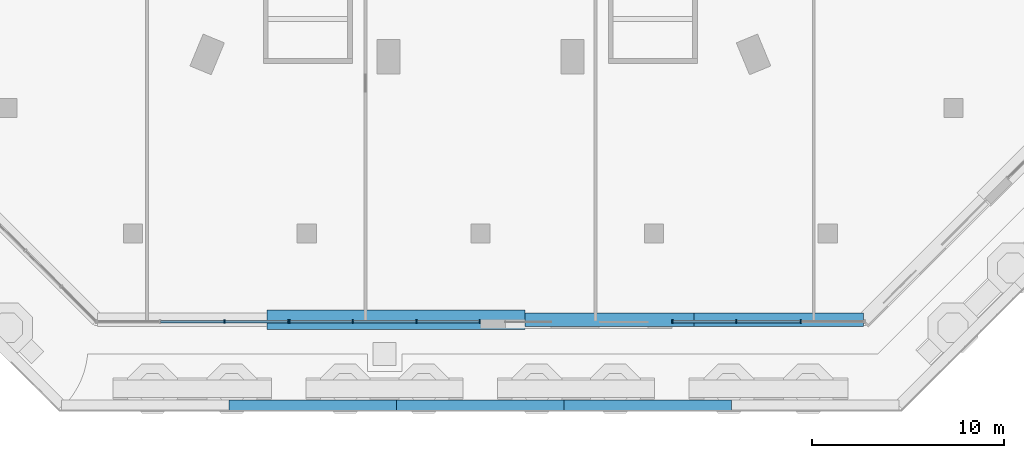
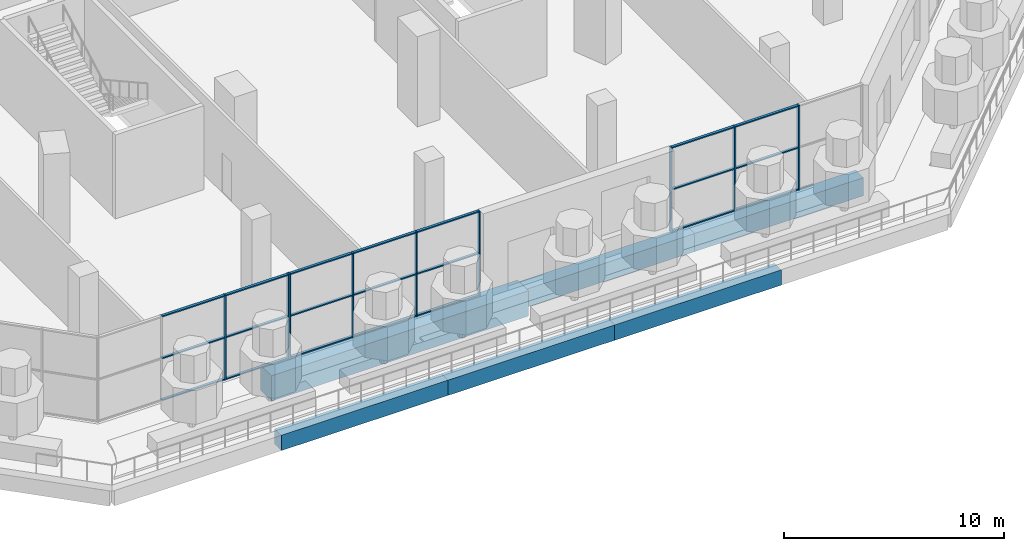
# One storey, part 4 of 32: 30 members, 6 beams, 3 elements without a shape of their own.
"""IFC4 building model written with IfcOpenShell, lengths in metres."""

from ifc_helpers import new_model, si_unit, direction, frame, origin, origin_2d, place, context, subcontext, project, spatial, rectangle, extrude, material, material_profile, profile_set, type_object, element, aggregate, save


model = new_model("IFC4")

# Units and contexts
model_context = context("Model", 3, precision=1e-05, world=origin(), true_north=direction((0.0, 1.0)))
body_context = subcontext(model_context, "Body", "Model", "MODEL_VIEW")
ifc_project = project(units=[si_unit("LENGTHUNIT", "METRE"), si_unit("AREAUNIT", "SQUARE_METRE"), si_unit("VOLUMEUNIT", "CUBIC_METRE"), si_unit("PLANEANGLEUNIT", "RADIAN"), si_unit("MASSUNIT", "GRAM", prefix="KILO")], contexts=[model_context])

# Site, building, storey
site_placement = place(None, origin())
site = spatial("IfcSite", under=ifc_project, at=site_placement, CompositionType="ELEMENT")
building_placement = place(site_placement, origin())
building = spatial("IfcBuilding", under=site, at=building_placement, Name="Msitu Wima Residences", CompositionType="ELEMENT")
storey_placement = place(building_placement, frame((0.0, 0.0, 6.0)))
storey = spatial("IfcBuildingStorey", under=building, at=storey_placement, Name="L01", CompositionType="ELEMENT", Elevation=6.0)

# Curtain wall, members
ifc_material_1 = material(Name="Anodised aluminium, bronze finish, clear low-emissivity double glazing", Category="aluminium")
curtain_wall_type = type_object("IfcCurtainWallType", Name="Curtain wall CW5 retail shopfront", PredefinedType="NOTDEFINED", material=ifc_material_1)
curtain_wall_1_placement = place(storey_placement, origin())
curtain_wall_1 = element("IfcCurtainWall", 1, at=curtain_wall_1_placement, inside=storey, type_object=curtain_wall_type, Name="Curtain wall CW5 L01 S0", PredefinedType="NOTDEFINED")
ifc_material_2 = material(Name="Anodised aluminium, bronze finish", Category="aluminium")
ifc_material_profile_1 = material_profile(ifc_material_2, rectangle(XDim=0.179931640625, YDim=0.06494140625, at=origin_2d()), Name="Mullion 65x180")
ifc_profile_set_1 = profile_set([ifc_material_profile_1], Name="Anodised aluminium, bronze finish")
member_type_1 = type_object("IfcMemberType", Name="Mullion CW5 65x180", PredefinedType="MULLION", material=ifc_profile_set_1)
member_1_placement = place(storey_placement, frame((-13.35888671875, -42.39990234375, 0.0), z_axis=(0.0, 0.0, 1.0), x_axis=(0.0, 1.0, 0.0)))
member_1 = element("IfcMember", 2, at=member_1_placement, type_object=member_type_1, Name="CW5 mullion 3", PredefinedType="MULLION", context=body_context, shape_type="SweptSolid", body=[
    extrude(rectangle(XDim=0.179931640625, YDim=0.06494140625, at=origin_2d()), origin(), (0.0, 0.0, 1.0), 4.699951171875),
])
member_2_placement = place(storey_placement, frame((-10.0283203125, -42.39990234375, 0.0), z_axis=(0.0, 0.0, 1.0), x_axis=(0.0, 1.0, 0.0)))
member_2 = element("IfcMember", 3, at=member_2_placement, type_object=member_type_1, Name="CW5 mullion 4", PredefinedType="MULLION", context=body_context, shape_type="SweptSolid", body=[
    extrude(rectangle(XDim=0.179931640625, YDim=0.06494140625, at=origin_2d()), origin(), (0.0, 0.0, 1.0), 4.699951171875),
])

curtain_wall_2_placement = place(storey_placement, origin())
curtain_wall_2 = element("IfcCurtainWall", 4, at=curtain_wall_2_placement, inside=storey, type_object=curtain_wall_type, Name="Curtain wall CW5 L01 S1", PredefinedType="NOTDEFINED")
member_3_placement = place(storey_placement, frame((-9.96337890625, -42.39990234375, 0.0), z_axis=(0.0, 0.0, 1.0), x_axis=(0.0, 1.0, 0.0)))
member_3 = element("IfcMember", 5, at=member_3_placement, type_object=member_type_1, Name="CW5 mullion 1", PredefinedType="MULLION", context=body_context, shape_type="SweptSolid", body=[
    extrude(rectangle(XDim=0.179931640625, YDim=0.06494140625, at=origin_2d()), origin(), (0.0, 0.0, 1.0), 4.699951171875),
])
member_4_placement = place(storey_placement, frame((-6.6640625, -42.39990234375, 0.0), z_axis=(0.0, 0.0, 1.0), x_axis=(0.0, 1.0, 0.0)))
member_4 = element("IfcMember", 6, at=member_4_placement, type_object=member_type_1, Name="CW5 mullion 2", PredefinedType="MULLION", context=body_context, shape_type="SweptSolid", body=[
    extrude(rectangle(XDim=0.179931640625, YDim=0.06494140625, at=origin_2d()), origin(), (0.0, 0.0, 1.0), 4.699951171875),
])
member_5_placement = place(storey_placement, frame((-3.33203125, -42.39990234375, 0.0), z_axis=(0.0, 0.0, 1.0), x_axis=(0.0, 1.0, 0.0)))
member_5 = element("IfcMember", 7, at=member_5_placement, type_object=member_type_1, Name="CW5 mullion 3", PredefinedType="MULLION", context=body_context, shape_type="SweptSolid", body=[
    extrude(rectangle(XDim=0.179931640625, YDim=0.06494140625, at=origin_2d()), origin(), (0.0, 0.0, 1.0), 4.699951171875),
])
member_6_placement = place(storey_placement, frame((-0.032470703125, -42.39990234375, 0.0), z_axis=(0.0, 0.0, 1.0), x_axis=(0.0, 1.0, 0.0)))
member_6 = element("IfcMember", 8, at=member_6_placement, type_object=member_type_1, Name="CW5 mullion 4", PredefinedType="MULLION", context=body_context, shape_type="SweptSolid", body=[
    extrude(rectangle(XDim=0.179931640625, YDim=0.06494140625, at=origin_2d()), origin(), (0.0, 0.0, 1.0), 4.699951171875),
])

curtain_wall_3_placement = place(storey_placement, origin())
curtain_wall_3 = element("IfcCurtainWall", 9, at=curtain_wall_3_placement, inside=storey, type_object=curtain_wall_type, Name="Curtain wall CW5 L01 S3", PredefinedType="NOTDEFINED")
member_7_placement = place(storey_placement, frame((10.0283203125, -42.39990234375, 0.0), z_axis=(0.0, 0.0, 1.0), x_axis=(0.0, 1.0, 0.0)))
member_7 = element("IfcMember", 10, at=member_7_placement, type_object=member_type_1, Name="CW5 mullion 1", PredefinedType="MULLION", context=body_context, shape_type="SweptSolid", body=[
    extrude(rectangle(XDim=0.179931640625, YDim=0.06494140625, at=origin_2d()), origin(), (0.0, 0.0, 1.0), 4.699951171875),
])
member_8_placement = place(storey_placement, frame((13.35888671875, -42.39990234375, 0.0), z_axis=(0.0, 0.0, 1.0), x_axis=(0.0, 1.0, 0.0)))
member_8 = element("IfcMember", 11, at=member_8_placement, type_object=member_type_1, Name="CW5 mullion 2", PredefinedType="MULLION", context=body_context, shape_type="SweptSolid", body=[
    extrude(rectangle(XDim=0.179931640625, YDim=0.06494140625, at=origin_2d()), origin(), (0.0, 0.0, 1.0), 4.699951171875),
])
member_9_placement = place(storey_placement, frame((16.721923828125, -42.39990234375, 0.0), z_axis=(0.0, 0.0, 1.0), x_axis=(0.0, 1.0, 0.0)))
member_9 = element("IfcMember", 12, at=member_9_placement, type_object=member_type_1, Name="CW5 mullion 3", PredefinedType="MULLION", context=body_context, shape_type="SweptSolid", body=[
    extrude(rectangle(XDim=0.179931640625, YDim=0.06494140625, at=origin_2d()), origin(), (0.0, 0.0, 1.0), 4.699951171875),
])

# Beams
ifc_material_3 = material(Name="Concrete C60/75", Category="concrete")
ifc_material_profile_2 = material_profile(ifc_material_3, rectangle(XDim=1.0, YDim=1.39990234375, at=origin_2d()), Name="RC 1000x1400")
ifc_profile_set_2 = profile_set([ifc_material_profile_2], Name="Concrete C60/75")
beam_type_1 = type_object("IfcBeamType", Name="Terrace beam RC 1000x1400 Concrete C60/75", PredefinedType="BEAM", material=ifc_profile_set_2)
beam_1_placement = place(storey_placement, frame((-11.14404296875, -42.300048828125, -1.050048828125), z_axis=(1.0, 0.0, 0.0), x_axis=(0.0, 1.0, 0.0)))
element("IfcBeam", 13, at=beam_1_placement, inside=storey, type_object=beam_type_1, Name="Terrace upstand-line beam L01 T6", PredefinedType="BEAM", context=body_context, shape_type="SweptSolid", body=[
    extrude(rectangle(XDim=1.0, YDim=1.39990234375, at=origin_2d()), origin(), (0.0, 0.0, 1.0), 13.485595703125),
])
ifc_material_profile_3 = material_profile(ifc_material_3, rectangle(XDim=0.60009765625, YDim=0.85009765625, at=origin_2d()), Name="RC 600x850")
ifc_profile_set_3 = profile_set([ifc_material_profile_3], Name="Concrete C60/75")
beam_type_2 = type_object("IfcBeamType", Name="Terrace beam RC 600x850 Concrete C60/75", PredefinedType="BEAM", material=ifc_profile_set_3)
beam_2_placement = place(storey_placement, frame((-13.113525390625, -46.800048828125, -0.77490234375), z_axis=(1.0, 0.0, 0.0), x_axis=(0.0, 1.0, 0.0)))
element("IfcBeam", 14, at=beam_2_placement, inside=storey, type_object=beam_type_2, Name="Terrace edge beam L00 C-S1", PredefinedType="BEAM", context=body_context, shape_type="SweptSolid", body=[
    extrude(rectangle(XDim=0.60009765625, YDim=0.85009765625, at=origin_2d()), origin(), (0.0, 0.0, 1.0), 8.742431640625),
])
beam_3_placement = place(storey_placement, frame((-4.37109375, -46.800048828125, -0.77490234375), z_axis=(1.0, 0.0, 0.0), x_axis=(0.0, 1.0, 0.0)))
element("IfcBeam", 15, at=beam_3_placement, inside=storey, type_object=beam_type_2, Name="Terrace edge beam L00 C-S2", PredefinedType="BEAM", context=body_context, shape_type="SweptSolid", body=[
    extrude(rectangle(XDim=0.60009765625, YDim=0.85009765625, at=origin_2d()), origin(), (0.0, 0.0, 1.0), 8.7421875),
])
beam_4_placement = place(storey_placement, frame((4.37109375, -46.800048828125, -0.77490234375), z_axis=(1.0, 0.0, 0.0), x_axis=(0.0, 1.0, 0.0)))
element("IfcBeam", 16, at=beam_4_placement, inside=storey, type_object=beam_type_2, Name="Terrace edge beam L00 C-S3", PredefinedType="BEAM", context=body_context, shape_type="SweptSolid", body=[
    extrude(rectangle(XDim=0.60009765625, YDim=0.85009765625, at=origin_2d()), origin(), (0.0, 0.0, 1.0), 8.742431640625),
])
ifc_material_profile_4 = material_profile(ifc_material_3, rectangle(XDim=0.699951171875, YDim=1.0, at=origin_2d()), Name="RC 700x1000")
ifc_profile_set_4 = profile_set([ifc_material_profile_4], Name="Concrete C60/75")
beam_type_3 = type_object("IfcBeamType", Name="Terrace beam RC 700x1000 Concrete C60/75", PredefinedType="BEAM", material=ifc_profile_set_4)
beam_5_placement = place(storey_placement, frame((2.341552734375, -42.300048828125, -0.85009765625), z_axis=(1.0, 0.0, 0.0), x_axis=(0.0, 1.0, 0.0)))
element("IfcBeam", 17, at=beam_5_placement, inside=storey, type_object=beam_type_3, Name="Terrace upstand-line beam L01 T7", PredefinedType="BEAM", context=body_context, shape_type="SweptSolid", body=[
    extrude(rectangle(XDim=0.699951171875, YDim=1.0, at=origin_2d()), origin(), (0.0, 0.0, 1.0), 8.802490234375),
])
beam_6_placement = place(storey_placement, frame((11.14404296875, -42.300048828125, -0.85009765625), z_axis=(1.0, 0.0, 0.0), x_axis=(0.0, 1.0, 0.0)))
element("IfcBeam", 18, at=beam_6_placement, inside=storey, type_object=beam_type_3, Name="Terrace upstand-line beam L01 T8", PredefinedType="BEAM", context=body_context, shape_type="SweptSolid", body=[
    extrude(rectangle(XDim=0.699951171875, YDim=1.0, at=origin_2d()), origin(), (0.0, 0.0, 1.0), 8.847900390625),
])

# Member
ifc_material_profile_5 = material_profile(ifc_material_2, rectangle(XDim=0.139892578125, YDim=0.06494140625, at=origin_2d()), Name="Transom 65x140")
ifc_profile_set_5 = profile_set([ifc_material_profile_5], Name="Anodised aluminium, bronze finish")
member_type_2 = type_object("IfcMemberType", Name="Transom CW5 65x140", PredefinedType="USERDEFINED", material=ifc_profile_set_5)
member_10_placement = place(storey_placement, frame((-16.689453125, -42.39990234375, 0.032470703125), z_axis=(1.0, 0.0, 0.0), x_axis=(0.0, 1.0, 0.0)))
member_10 = element("IfcMember", 19, at=member_10_placement, type_object=member_type_2, Name="CW5 transom 2.1", ObjectType="TRANSOM", PredefinedType="USERDEFINED", context=body_context, shape_type="SweptSolid", body=[
    extrude(rectangle(XDim=0.139892578125, YDim=0.06494140625, at=origin_2d()), origin(), (0.0, 0.0, 1.0), 3.2978515625),
])

member_11_placement = place(storey_placement, frame((-16.689453125, -42.39990234375, 2.35009765625), z_axis=(1.0, 0.0, 0.0), x_axis=(0.0, 1.0, 0.0)))
member_11 = element("IfcMember", 20, at=member_11_placement, type_object=member_type_2, Name="CW5 transom 2.2", ObjectType="TRANSOM", PredefinedType="USERDEFINED", context=body_context, shape_type="SweptSolid", body=[
    extrude(rectangle(XDim=0.139892578125, YDim=0.06494140625, at=origin_2d()), origin(), (0.0, 0.0, 1.0), 3.2978515625),
])

member_12_placement = place(storey_placement, frame((-16.689453125, -42.39990234375, 4.66748046875), z_axis=(1.0, 0.0, 0.0), x_axis=(0.0, 1.0, 0.0)))
member_12 = element("IfcMember", 21, at=member_12_placement, type_object=member_type_2, Name="CW5 transom 2.3", ObjectType="TRANSOM", PredefinedType="USERDEFINED", context=body_context, shape_type="SweptSolid", body=[
    extrude(rectangle(XDim=0.139892578125, YDim=0.06494140625, at=origin_2d()), origin(), (0.0, 0.0, 1.0), 3.2978515625),
])

member_13_placement = place(storey_placement, frame((-13.326416015625, -42.39990234375, 0.032470703125), z_axis=(1.0, 0.0, 0.0), x_axis=(0.0, 1.0, 0.0)))
member_13 = element("IfcMember", 22, at=member_13_placement, type_object=member_type_2, Name="CW5 transom 3.1", ObjectType="TRANSOM", PredefinedType="USERDEFINED", context=body_context, shape_type="SweptSolid", body=[
    extrude(rectangle(XDim=0.139892578125, YDim=0.06494140625, at=origin_2d()), origin(), (0.0, 0.0, 1.0), 3.265380859375),
])

member_14_placement = place(storey_placement, frame((-13.326416015625, -42.39990234375, 2.35009765625), z_axis=(1.0, 0.0, 0.0), x_axis=(0.0, 1.0, 0.0)))
member_14 = element("IfcMember", 23, at=member_14_placement, type_object=member_type_2, Name="CW5 transom 3.2", ObjectType="TRANSOM", PredefinedType="USERDEFINED", context=body_context, shape_type="SweptSolid", body=[
    extrude(rectangle(XDim=0.139892578125, YDim=0.06494140625, at=origin_2d()), origin(), (0.0, 0.0, 1.0), 3.265380859375),
])

member_15_placement = place(storey_placement, frame((-13.326416015625, -42.39990234375, 4.66748046875), z_axis=(1.0, 0.0, 0.0), x_axis=(0.0, 1.0, 0.0)))
member_15 = element("IfcMember", 24, at=member_15_placement, type_object=member_type_2, Name="CW5 transom 3.3", ObjectType="TRANSOM", PredefinedType="USERDEFINED", context=body_context, shape_type="SweptSolid", body=[
    extrude(rectangle(XDim=0.139892578125, YDim=0.06494140625, at=origin_2d()), origin(), (0.0, 0.0, 1.0), 3.265380859375),
])

aggregate(curtain_wall_1, [member_1, member_2, member_10, member_11, member_12, member_13, member_14, member_15])

member_16_placement = place(storey_placement, frame((-9.930908203125, -42.39990234375, 0.032470703125), z_axis=(1.0, 0.0, 0.0), x_axis=(0.0, 1.0, 0.0)))
member_16 = element("IfcMember", 25, at=member_16_placement, type_object=member_type_2, Name="CW5 transom 1.1", ObjectType="TRANSOM", PredefinedType="USERDEFINED", context=body_context, shape_type="SweptSolid", body=[
    extrude(rectangle(XDim=0.139892578125, YDim=0.06494140625, at=origin_2d()), origin(), (0.0, 0.0, 1.0), 3.234375),
])

member_17_placement = place(storey_placement, frame((-9.930908203125, -42.39990234375, 2.35009765625), z_axis=(1.0, 0.0, 0.0), x_axis=(0.0, 1.0, 0.0)))
member_17 = element("IfcMember", 26, at=member_17_placement, type_object=member_type_2, Name="CW5 transom 1.2", ObjectType="TRANSOM", PredefinedType="USERDEFINED", context=body_context, shape_type="SweptSolid", body=[
    extrude(rectangle(XDim=0.139892578125, YDim=0.06494140625, at=origin_2d()), origin(), (0.0, 0.0, 1.0), 3.234375),
])

member_18_placement = place(storey_placement, frame((-9.930908203125, -42.39990234375, 4.66748046875), z_axis=(1.0, 0.0, 0.0), x_axis=(0.0, 1.0, 0.0)))
member_18 = element("IfcMember", 27, at=member_18_placement, type_object=member_type_2, Name="CW5 transom 1.3", ObjectType="TRANSOM", PredefinedType="USERDEFINED", context=body_context, shape_type="SweptSolid", body=[
    extrude(rectangle(XDim=0.139892578125, YDim=0.06494140625, at=origin_2d()), origin(), (0.0, 0.0, 1.0), 3.234375),
])

member_19_placement = place(storey_placement, frame((-6.63134765625, -42.39990234375, 0.032470703125), z_axis=(1.0, 0.0, 0.0), x_axis=(0.0, 1.0, 0.0)))
member_19 = element("IfcMember", 28, at=member_19_placement, type_object=member_type_2, Name="CW5 transom 2.1", ObjectType="TRANSOM", PredefinedType="USERDEFINED", context=body_context, shape_type="SweptSolid", body=[
    extrude(rectangle(XDim=0.139892578125, YDim=0.06494140625, at=origin_2d()), origin(), (0.0, 0.0, 1.0), 3.266845703125),
])

member_20_placement = place(storey_placement, frame((-6.63134765625, -42.39990234375, 2.35009765625), z_axis=(1.0, 0.0, 0.0), x_axis=(0.0, 1.0, 0.0)))
member_20 = element("IfcMember", 29, at=member_20_placement, type_object=member_type_2, Name="CW5 transom 2.2", ObjectType="TRANSOM", PredefinedType="USERDEFINED", context=body_context, shape_type="SweptSolid", body=[
    extrude(rectangle(XDim=0.139892578125, YDim=0.06494140625, at=origin_2d()), origin(), (0.0, 0.0, 1.0), 3.266845703125),
])

member_21_placement = place(storey_placement, frame((-6.63134765625, -42.39990234375, 4.66748046875), z_axis=(1.0, 0.0, 0.0), x_axis=(0.0, 1.0, 0.0)))
member_21 = element("IfcMember", 30, at=member_21_placement, type_object=member_type_2, Name="CW5 transom 2.3", ObjectType="TRANSOM", PredefinedType="USERDEFINED", context=body_context, shape_type="SweptSolid", body=[
    extrude(rectangle(XDim=0.139892578125, YDim=0.06494140625, at=origin_2d()), origin(), (0.0, 0.0, 1.0), 3.266845703125),
])

member_22_placement = place(storey_placement, frame((-3.299560546875, -42.39990234375, 0.032470703125), z_axis=(1.0, 0.0, 0.0), x_axis=(0.0, 1.0, 0.0)))
member_22 = element("IfcMember", 31, at=member_22_placement, type_object=member_type_2, Name="CW5 transom 3.1", ObjectType="TRANSOM", PredefinedType="USERDEFINED", context=body_context, shape_type="SweptSolid", body=[
    extrude(rectangle(XDim=0.139892578125, YDim=0.06494140625, at=origin_2d()), origin(), (0.0, 0.0, 1.0), 3.234619140625),
])

member_23_placement = place(storey_placement, frame((-3.299560546875, -42.39990234375, 2.35009765625), z_axis=(1.0, 0.0, 0.0), x_axis=(0.0, 1.0, 0.0)))
member_23 = element("IfcMember", 32, at=member_23_placement, type_object=member_type_2, Name="CW5 transom 3.2", ObjectType="TRANSOM", PredefinedType="USERDEFINED", context=body_context, shape_type="SweptSolid", body=[
    extrude(rectangle(XDim=0.139892578125, YDim=0.06494140625, at=origin_2d()), origin(), (0.0, 0.0, 1.0), 3.234619140625),
])

member_24_placement = place(storey_placement, frame((-3.299560546875, -42.39990234375, 4.66748046875), z_axis=(1.0, 0.0, 0.0), x_axis=(0.0, 1.0, 0.0)))
member_24 = element("IfcMember", 33, at=member_24_placement, type_object=member_type_2, Name="CW5 transom 3.3", ObjectType="TRANSOM", PredefinedType="USERDEFINED", context=body_context, shape_type="SweptSolid", body=[
    extrude(rectangle(XDim=0.139892578125, YDim=0.06494140625, at=origin_2d()), origin(), (0.0, 0.0, 1.0), 3.234619140625),
])

aggregate(curtain_wall_2, [member_3, member_4, member_5, member_6, member_16, member_17, member_18, member_19, member_20, member_21, member_22, member_23, member_24])

member_25_placement = place(storey_placement, frame((10.06103515625, -42.39990234375, 0.032470703125), z_axis=(1.0, 0.0, 0.0), x_axis=(0.0, 1.0, 0.0)))
member_25 = element("IfcMember", 34, at=member_25_placement, type_object=member_type_2, Name="CW5 transom 1.1", ObjectType="TRANSOM", PredefinedType="USERDEFINED", context=body_context, shape_type="SweptSolid", body=[
    extrude(rectangle(XDim=0.139892578125, YDim=0.06494140625, at=origin_2d()), origin(), (0.0, 0.0, 1.0), 3.265380859375),
])

member_26_placement = place(storey_placement, frame((10.06103515625, -42.39990234375, 2.35009765625), z_axis=(1.0, 0.0, 0.0), x_axis=(0.0, 1.0, 0.0)))
member_26 = element("IfcMember", 35, at=member_26_placement, type_object=member_type_2, Name="CW5 transom 1.2", ObjectType="TRANSOM", PredefinedType="USERDEFINED", context=body_context, shape_type="SweptSolid", body=[
    extrude(rectangle(XDim=0.139892578125, YDim=0.06494140625, at=origin_2d()), origin(), (0.0, 0.0, 1.0), 3.265380859375),
])

member_27_placement = place(storey_placement, frame((10.06103515625, -42.39990234375, 4.66748046875), z_axis=(1.0, 0.0, 0.0), x_axis=(0.0, 1.0, 0.0)))
member_27 = element("IfcMember", 36, at=member_27_placement, type_object=member_type_2, Name="CW5 transom 1.3", ObjectType="TRANSOM", PredefinedType="USERDEFINED", context=body_context, shape_type="SweptSolid", body=[
    extrude(rectangle(XDim=0.139892578125, YDim=0.06494140625, at=origin_2d()), origin(), (0.0, 0.0, 1.0), 3.265380859375),
])

member_28_placement = place(storey_placement, frame((13.3916015625, -42.39990234375, 0.032470703125), z_axis=(1.0, 0.0, 0.0), x_axis=(0.0, 1.0, 0.0)))
member_28 = element("IfcMember", 37, at=member_28_placement, type_object=member_type_2, Name="CW5 transom 2.1", ObjectType="TRANSOM", PredefinedType="USERDEFINED", context=body_context, shape_type="SweptSolid", body=[
    extrude(rectangle(XDim=0.139892578125, YDim=0.06494140625, at=origin_2d()), origin(), (0.0, 0.0, 1.0), 3.2978515625),
])

member_29_placement = place(storey_placement, frame((13.3916015625, -42.39990234375, 2.35009765625), z_axis=(1.0, 0.0, 0.0), x_axis=(0.0, 1.0, 0.0)))
member_29 = element("IfcMember", 38, at=member_29_placement, type_object=member_type_2, Name="CW5 transom 2.2", ObjectType="TRANSOM", PredefinedType="USERDEFINED", context=body_context, shape_type="SweptSolid", body=[
    extrude(rectangle(XDim=0.139892578125, YDim=0.06494140625, at=origin_2d()), origin(), (0.0, 0.0, 1.0), 3.2978515625),
])

member_30_placement = place(storey_placement, frame((13.3916015625, -42.39990234375, 4.66748046875), z_axis=(1.0, 0.0, 0.0), x_axis=(0.0, 1.0, 0.0)))
member_30 = element("IfcMember", 39, at=member_30_placement, type_object=member_type_2, Name="CW5 transom 2.3", ObjectType="TRANSOM", PredefinedType="USERDEFINED", context=body_context, shape_type="SweptSolid", body=[
    extrude(rectangle(XDim=0.139892578125, YDim=0.06494140625, at=origin_2d()), origin(), (0.0, 0.0, 1.0), 3.2978515625),
])

aggregate(curtain_wall_3, [member_7, member_8, member_9, member_25, member_26, member_27, member_28, member_29, member_30])

save(model, "model.ifc")
